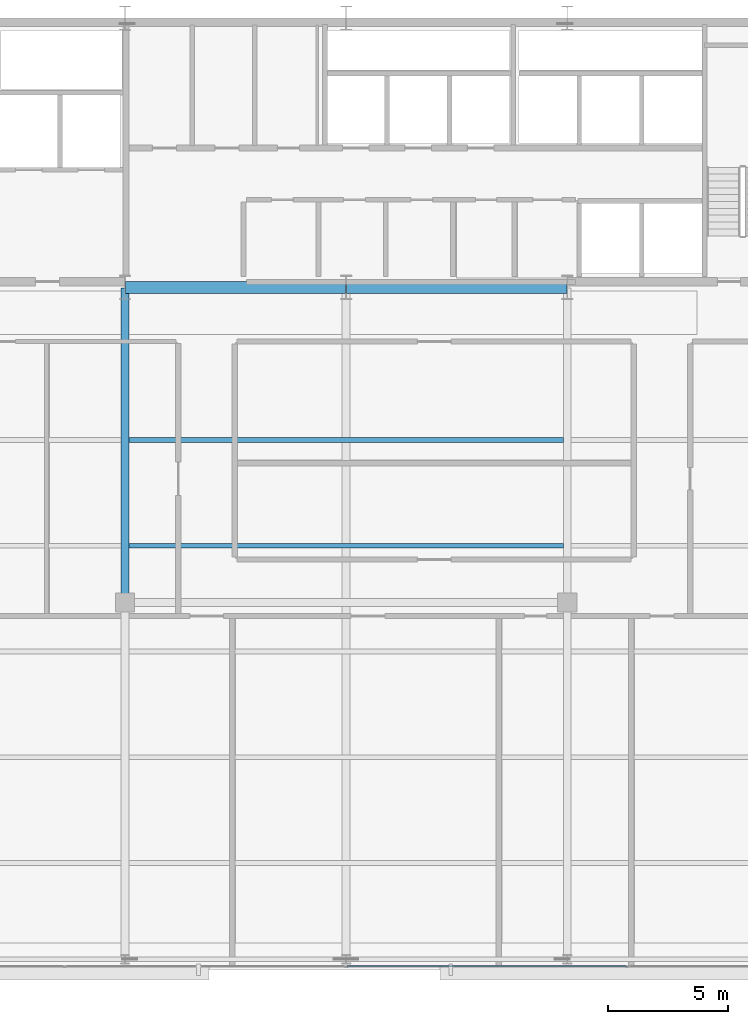
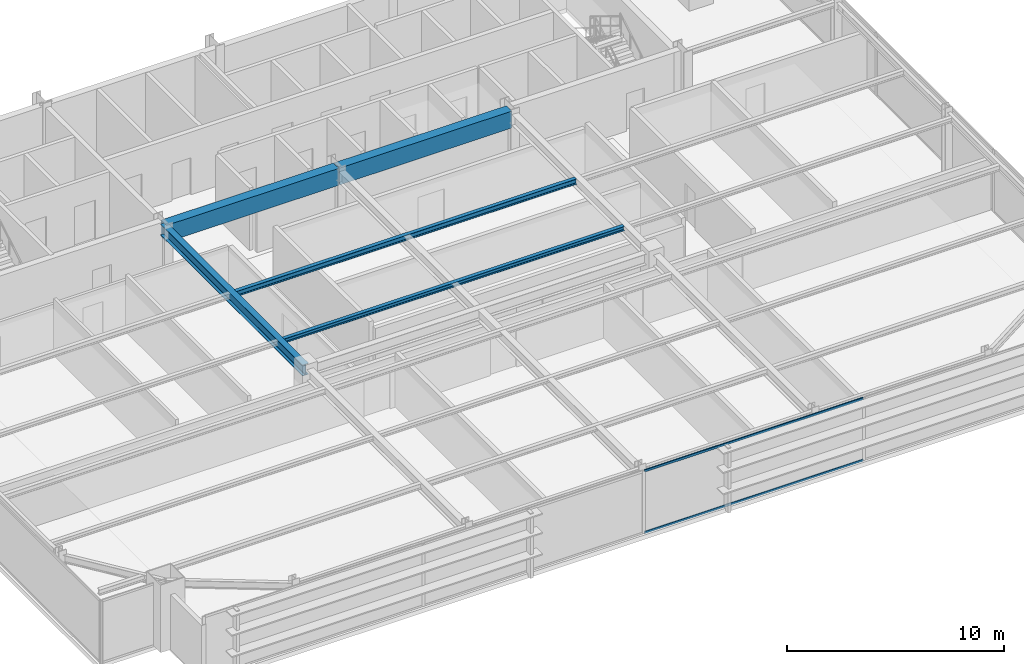
# One storey, part 12 of 29: 5 beams, 2 members, 1 element without a shape of its own.
"""IFC4 building model written with IfcOpenShell, lengths in metres."""

from ifc_helpers import new_model, si_unit, direction, frame, origin, origin_2d, place, context, subcontext, project, spatial, rectangle, hollow_rectangle, i_section, extrude, source, transform, mapped, material, layer, layer_set, material_profile, profile_set, type_object, type_shapes, element, aggregate, save


model = new_model("IFC4")

# Units and contexts
model_context = context("Model", 3, precision=1e-05, world=origin(), true_north=direction((0.0, 1.0)))
body_context = subcontext(model_context, "Body", "Model", "MODEL_VIEW")
ifc_project = project(units=[si_unit("LENGTHUNIT", "METRE"), si_unit("AREAUNIT", "SQUARE_METRE"), si_unit("VOLUMEUNIT", "CUBIC_METRE"), si_unit("PLANEANGLEUNIT", "RADIAN"), si_unit("MASSUNIT", "GRAM", prefix="KILO")], contexts=[model_context])

# Site, building, storey
site_placement = place(None, origin())
site = spatial("IfcSite", under=ifc_project, at=site_placement, CompositionType="ELEMENT")
building_placement = place(site_placement, origin())
building = spatial("IfcBuilding", under=site, at=building_placement, Name="Varnel Quay Broadcast Tower", CompositionType="ELEMENT")
storey_placement = place(building_placement, frame((0.0, 0.0, 187.60009765625)))
storey = spatial("IfcBuildingStorey", under=building, at=storey_placement, Name="L46", CompositionType="ELEMENT", Elevation=187.60009765625)

# Beams
ifc_material_1 = material(Name="Structural Steel CSA G40.21 350W", Category="steel")
ifc_material_profile_1 = material_profile(ifc_material_1, i_section(OverallWidth=0.324951171875, OverallDepth=0.615966796875, WebThickness=0.013916015625, FlangeThickness=0.021484375, FilletRadius=0.01611328125, at=origin_2d()), Name="W610X174")
ifc_profile_set_1 = profile_set([ifc_material_profile_1], Name="Structural Steel CSA G40.21 350W")
beam_type_1 = type_object("IfcBeamType", Name="Girder_W610X174", PredefinedType="BEAM", material=ifc_profile_set_1)
shared_shape_1 = source(origin(), body_context, "Body", "SweptSolid", [
    extrude(i_section(OverallWidth=0.324951171875, OverallDepth=0.615966796875, WebThickness=0.013916015625, FlangeThickness=0.021484375, FilletRadius=0.01611328125, at=origin_2d()), origin(), (0.0, 0.0, 1.0), 13.070068359375),
])
type_shapes(beam_type_1, [shared_shape_1])
beam_1_placement = place(storey_placement, frame((24.800048828125, 22.510009765625, 3.2119140625), z_axis=(0.0, 1.0, 0.0), x_axis=(-1.0, 0.0, 0.0)))
element("IfcBeam", 1, at=beam_1_placement, inside=storey, type_object=beam_type_1, Name="L46 Primary Girder IC-01-CC-S2", PredefinedType="BEAM", context=body_context, shape_type="MappedRepresentation", body=[
    mapped(shared_shape_1, transform((0.0, 0.0, 0.0), x_axis=(1.0, 0.0, 0.0), y_axis=(0.0, 1.0, 0.0), z_axis=(0.0, 0.0, 1.0), scale=1.0)),
])
ifc_material_2 = material(Name="Concrete CSA A23.3 C50/60", Category="concrete")
ifc_material_profile_2 = material_profile(ifc_material_2, rectangle(XDim=0.5, YDim=0.949951171875, at=origin_2d()), Name="RC500X950")
ifc_profile_set_2 = profile_set([ifc_material_profile_2], Name="Concrete CSA A23.3 C50/60")
beam_type_2 = type_object("IfcBeamType", Name="Beam_RC500X950", PredefinedType="BEAM", material=ifc_profile_set_2)
shared_shape_2 = source(origin(), body_context, "Body", "SweptSolid", [
    extrude(rectangle(XDim=0.5, YDim=0.949951171875, at=origin_2d()), origin(), (0.0, 0.0, 1.0), 9.159912109375),
])
type_shapes(beam_type_2, [shared_shape_2])
for number, where, z_axis, x_axis, name in (
    (2, (24.820068359375, 35.60009765625, 3.044921875), (1.0, 0.0, 0.0), (0.0, 1.0, 0.0), "L46 Core Coupling Beam W"),
    (3, (34.02001953125, 35.60009765625, 3.044921875), (1.0, 0.0, 0.0), (0.0, 1.0, 0.0), "L46 Core Coupling Beam E"),
):
    element("IfcBeam", number, at=place(storey_placement, frame(where, z_axis=z_axis, x_axis=x_axis)), inside=storey, type_object=beam_type_2, Name=name, PredefinedType="BEAM", context=body_context, shape_type="MappedRepresentation", body=[
        mapped(shared_shape_2, transform((0.0, 0.0, 0.0), x_axis=(1.0, 0.0, 0.0), y_axis=(0.0, 1.0, 0.0), z_axis=(0.0, 0.0, 1.0), scale=1.0)),
    ])
ifc_material_profile_3 = material_profile(ifc_material_1, i_section(OverallWidth=0.202880859375, OverallDepth=0.302978515625, WebThickness=0.007568359375, FlangeThickness=0.01318359375, FilletRadius=0.011962890625, at=origin_2d()), Name="W310X60")
ifc_profile_set_3 = profile_set([ifc_material_profile_3], Name="Structural Steel CSA G40.21 350W")
beam_type_3 = type_object("IfcBeamType", Name="Beam_W310X60", PredefinedType="JOIST", material=ifc_profile_set_3)
shared_shape_3 = source(origin(), body_context, "Body", "SweptSolid", [
    extrude(i_section(OverallWidth=0.202880859375, OverallDepth=0.302978515625, WebThickness=0.007568359375, FlangeThickness=0.01318359375, FilletRadius=0.011962890625, at=origin_2d()), origin(), (0.0, 0.0, 1.0), 18.0849609375),
])
type_shapes(beam_type_3, [shared_shape_3])
beam_2_placement = place(storey_placement, frame((24.95751953125, 29.25, 3.368408203125), z_axis=(1.0, 0.0, 0.0), x_axis=(0.0, 1.0, 0.0)))
element("IfcBeam", 4, at=beam_2_placement, inside=storey, type_object=beam_type_3, Name="L46 Central Floor Joist 5", PredefinedType="JOIST", context=body_context, shape_type="MappedRepresentation", body=[
    mapped(shared_shape_3, transform((0.0, 0.0, 0.0), x_axis=(1.0, 0.0, 0.0), y_axis=(0.0, 1.0, 0.0), z_axis=(0.0, 0.0, 1.0), scale=1.0)),
])
ifc_material_profile_4 = material_profile(ifc_material_1, i_section(OverallWidth=0.201904296875, OverallDepth=0.2470703125, WebThickness=0.00732421875, FlangeThickness=0.010986328125, FilletRadius=0.010986328125, at=origin_2d()), Name="W250X49")
ifc_profile_set_4 = profile_set([ifc_material_profile_4], Name="Structural Steel CSA G40.21 350W")
beam_type_4 = type_object("IfcBeamType", Name="Beam_W250X49", PredefinedType="JOIST", material=ifc_profile_set_4)
shared_shape_4 = source(origin(), body_context, "Body", "SweptSolid", [
    extrude(i_section(OverallWidth=0.201904296875, OverallDepth=0.2470703125, WebThickness=0.00732421875, FlangeThickness=0.010986328125, FilletRadius=0.010986328125, at=origin_2d()), origin(), (0.0, 0.0, 1.0), 18.0849609375),
])
type_shapes(beam_type_4, [shared_shape_4])
beam_3_placement = place(storey_placement, frame((24.95751953125, 24.85009765625, 3.396484375), z_axis=(1.0, 0.0, 0.0), x_axis=(0.0, 1.0, 0.0)))
element("IfcBeam", 5, at=beam_3_placement, inside=storey, type_object=beam_type_4, Name="L46 Central Floor Joist 4", PredefinedType="JOIST", context=body_context, shape_type="MappedRepresentation", body=[
    mapped(shared_shape_4, transform((0.0, 0.0, 0.0), x_axis=(1.0, 0.0, 0.0), y_axis=(0.0, 1.0, 0.0), z_axis=(0.0, 0.0, 1.0), scale=1.0)),
])

# Curtain wall, members
ifc_material_3 = material(Name="Anodised Bronze Aluminium 6063-T6", Category="aluminium")
ifc_layer = layer(ifc_material_3, 0.18994140625, Name="Anodised Bronze Aluminium 6063-T6")
ifc_layer_set = layer_set([ifc_layer], Name="Anodised Bronze Aluminium 6063-T6")
curtain_wall_type = type_object("IfcCurtainWallType", Name="CW_UpperTower", PredefinedType="NOTDEFINED", material=ifc_layer_set)
curtain_wall_placement = place(storey_placement, origin())
curtain_wall = element("IfcCurtainWall", 6, at=curtain_wall_placement, inside=storey, type_object=curtain_wall_type, Name="L46 South Unitised Curtain Wall 1", PredefinedType="NOTDEFINED")
ifc_material_profile_5 = material_profile(ifc_material_3, hollow_rectangle(XDim=0.06005859375, YDim=0.125, WallThickness=0.0029296875, at=origin_2d()), Name="ALU60X125X3")
ifc_profile_set_5 = profile_set([ifc_material_profile_5], Name="Anodised Bronze Aluminium 6063-T6")
member_type = type_object("IfcMemberType", Name="Tran_CWS-03", PredefinedType="USERDEFINED", material=ifc_profile_set_5)
shared_shape_5 = source(origin(), body_context, "Body", "SweptSolid", [
    extrude(hollow_rectangle(XDim=0.06005859375, YDim=0.125, WallThickness=0.0029296875, at=origin_2d()), origin(), (0.0, 0.0, 1.0), 11.635009765625),
])
type_shapes(member_type, [shared_shape_5])
member_1_placement = place(storey_placement, frame((34.032470703125, 7.35009765625, 0.02978515625), z_axis=(1.0, 0.0, 0.0), x_axis=(0.0, 1.0, 0.0)))
member_1 = element("IfcMember", 7, at=member_1_placement, type_object=member_type, Name="CWS-03 transom 3.1", ObjectType="TRANSOM", PredefinedType="USERDEFINED", context=body_context, shape_type="MappedRepresentation", body=[
    mapped(shared_shape_5, transform((0.0, 0.0, 0.0), x_axis=(1.0, 0.0, 0.0), y_axis=(0.0, 1.0, 0.0), z_axis=(0.0, 0.0, 1.0), scale=1.0)),
])
member_2_placement = place(storey_placement, frame((34.032470703125, 7.35009765625, 3.489990234375), z_axis=(1.0, 0.0, 0.0), x_axis=(0.0, 1.0, 0.0)))
member_2 = element("IfcMember", 8, at=member_2_placement, type_object=member_type, Name="CWS-03 transom 3.2", ObjectType="TRANSOM", PredefinedType="USERDEFINED", context=body_context, shape_type="MappedRepresentation", body=[
    mapped(shared_shape_5, transform((0.0, 0.0, 0.0), x_axis=(1.0, 0.0, 0.0), y_axis=(0.0, 1.0, 0.0), z_axis=(0.0, 0.0, 1.0), scale=1.0)),
])
aggregate(curtain_wall, [member_1, member_2])

save(model, "model.ifc")
